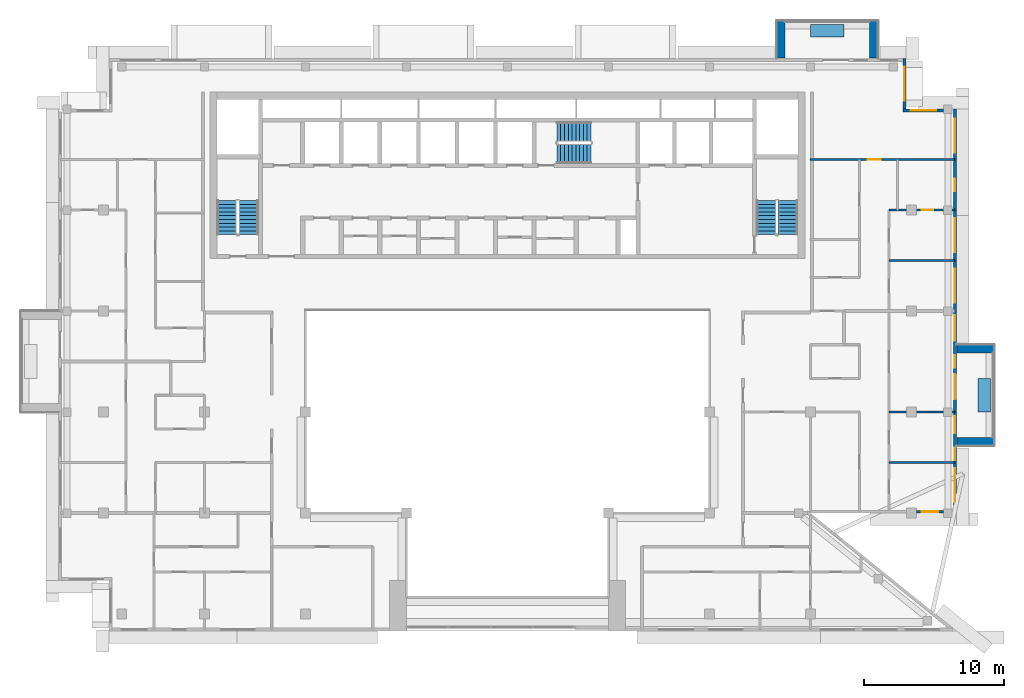
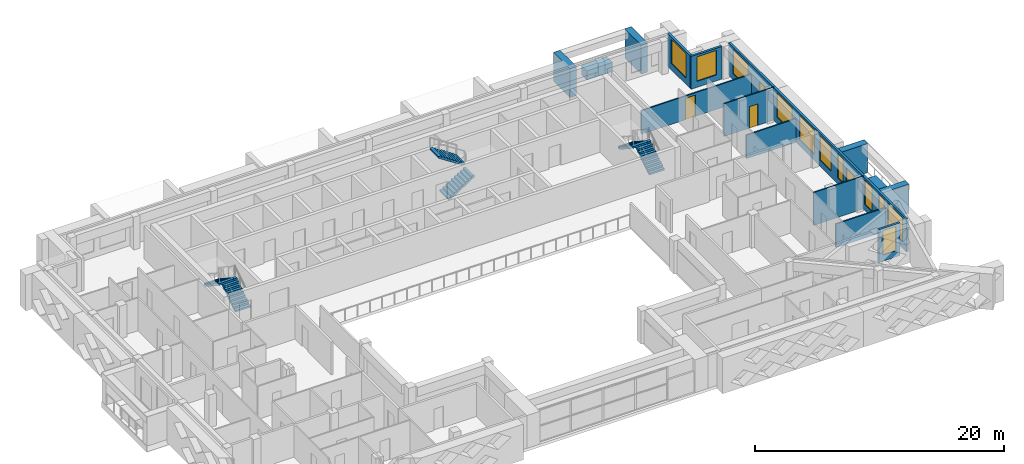
# One storey, part 11 of 18: 15 walls, 12 windows, 6 stair flights, 3 doors, 15 openings, 3 elements without a shape of their own.
"""IFC4 building model written with IfcOpenShell, lengths in metres."""

from ifc_helpers import new_model, si_unit, direction, frame, frame_2d, origin, place, context, subcontext, project, spatial, polyline, rectangle, outline, extrude, material, layer, layer_set, type_object, element, fill, aggregate, save


model = new_model("IFC4")

# Units and contexts
model_context = context("Model", 3, precision=1e-05, world=origin(), true_north=direction((0.0, 1.0)))
body_context = subcontext(model_context, "Body", "Model", "MODEL_VIEW")
ifc_project = project(units=[si_unit("LENGTHUNIT", "METRE"), si_unit("AREAUNIT", "SQUARE_METRE"), si_unit("VOLUMEUNIT", "CUBIC_METRE"), si_unit("PLANEANGLEUNIT", "RADIAN"), si_unit("MASSUNIT", "GRAM", prefix="KILO")], contexts=[model_context])

# Site, building, storey
site_placement = place(None, origin())
site = spatial("IfcSite", under=ifc_project, at=site_placement, CompositionType="ELEMENT")
building_placement = place(site_placement, origin())
building = spatial("IfcBuilding", under=site, at=building_placement, Name="Saffron Iwan Residences", CompositionType="ELEMENT")
storey_placement = place(building_placement, frame((0.0, 0.0, 257.0)))
storey = spatial("IfcBuildingStorey", under=building, at=storey_placement, Name="L69", CompositionType="ELEMENT", Elevation=257.0)

# Walls
ifc_material_1 = material(Name="Concrete C50/60 white painted", Category="concrete")
ifc_layer_1 = layer(ifc_material_1, 0.60009765625)
ifc_layer_set_1 = layer_set([ifc_layer_1], Name="Concrete C50/60 white painted")
wall_type_1 = type_object("IfcWallType", Name="BALCONY FIN 600", PredefinedType="SOLIDWALL", material=ifc_layer_set_1)
for number, where, z_axis, x_axis, name in (
    (1, (82.449951171875, 53.10009765625, 0.0), (0.0, 0.0, 1.0), (1.0, 0.0, 0.0), "Balcony fin L69 F2-0a"),
    (2, (82.449951171875, 59.699951171875, 0.0), (0.0, 0.0, 1.0), (1.0, 0.0, 0.0), "Balcony fin L69 F2-0b"),
    (3, (76.5, 80.449951171875, 0.0), (0.0, 0.0, 1.0), (0.0, 1.0, 0.0), "Balcony fin L69 F5-0a"),
    (4, (69.89990234375, 80.449951171875, 0.0), (0.0, 0.0, 1.0), (0.0, 1.0, 0.0), "Balcony fin L69 F5-0b"),
):
    element("IfcWall", number, at=place(storey_placement, frame(where, z_axis=z_axis, x_axis=x_axis)), inside=storey, type_object=wall_type_1, Name=name, PredefinedType="SOLIDWALL", context=body_context, shape_type="SweptSolid", body=[
        extrude(rectangle(XDim=2.650146484375, YDim=0.60009765625, at=frame_2d((1.3251953125, 0.0))), origin(), (0.0, 0.0, 1.0), 2.85009765625),
    ])
ifc_material_2 = material(Name="Concrete C35/45 white painted", Category="concrete")
ifc_layer_2 = layer(ifc_material_2, 0.14990234375)
ifc_layer_set_2 = layer_set([ifc_layer_2], Name="Concrete C35/45 white painted")
wall_type_2 = type_object("IfcWallType", Name="BALCONY PLANTER", PredefinedType="SOLIDWALL", material=ifc_layer_set_2)
wall_1_placement = place(storey_placement, frame((84.375, 55.199951171875, 0.0), z_axis=(0.0, 0.0, 1.0), x_axis=(0.0, 1.0, 0.0)))
element("IfcWall", 5, at=wall_1_placement, inside=storey, type_object=wall_type_2, Name="PLANTER L69 F2-0", PredefinedType="SOLIDWALL", context=body_context, shape_type="SweptSolid", body=[
    extrude(rectangle(XDim=2.400146484375, YDim=0.89990234375, at=frame_2d((1.2001953125, 0.0))), origin(), (0.0, 0.0, 1.0), 0.89990234375),
])
wall_2_placement = place(storey_placement, frame((74.39990234375, 82.375, 0.0), z_axis=(0.0, 0.0, 1.0), x_axis=(-1.0, 0.0, 0.0)))
element("IfcWall", 6, at=wall_2_placement, inside=storey, type_object=wall_type_2, Name="PLANTER L69 F5-0", PredefinedType="SOLIDWALL", context=body_context, shape_type="SweptSolid", body=[
    extrude(rectangle(XDim=2.39990234375, YDim=0.89990234375, at=frame_2d((1.199951171875, 0.0))), origin(), (0.0, 0.0, 1.0), 0.89990234375),
])

# Wall, opening, window
ifc_material_3 = material(Name="Concrete C40/50", Category="concrete")
ifc_layer_3 = layer(ifc_material_3, 0.199951171875)
ifc_layer_set_3 = layer_set([ifc_layer_3], Name="Concrete C40/50")
wall_type_3 = type_object("IfcWallType", Name="EXTERNAL WALL 200", PredefinedType="SOLIDWALL", material=ifc_layer_set_3)
wall_3_placement = place(storey_placement, frame((79.550048828125, 48.10009765625, 0.0), z_axis=(0.0, 0.0, 1.0), x_axis=(1.0, 0.0, 0.0)))
wall_3 = element("IfcWall", 7, at=wall_3_placement, inside=storey, type_object=wall_type_3, Name="External wall L69 F1.1", PredefinedType="SOLIDWALL", context=body_context, shape_type="SweptSolid", body=[
    extrude(rectangle(XDim=1.949951171875, YDim=0.199951171875, at=frame_2d((0.97509765625, 0.0))), origin(), (0.0, 0.0, 1.0), 3.219970703125),
])
opening_1_placement = place(wall_3_placement, frame((0.375, 0.0, 0.60009765625)))
opening_1 = element("IfcOpeningElement", 8, at=opening_1_placement, cuts=wall_3, Name="Opening W3", PredefinedType="OPENING", context=body_context, shape_type="SweptSolid", body=[
    extrude(rectangle(XDim=1.199951171875, YDim=2.39990234375, at=frame_2d((0.60009765625, 1.199951171875))), frame((0.0, 0.10986328125, 0.0), z_axis=(0.0, -1.0, 0.0), x_axis=(1.0, 0.0, 0.0)), (0.0, 0.0, 1.0), 0.219970703125),
])
ifc_material_4 = material(Name="Clear glass, laminated double glazed", Category="glass")
window_type_1 = type_object("IfcWindowType", Name="WINDOW 1200 x 2400", PartitioningType="SINGLE_PANEL", PredefinedType="WINDOW", material=ifc_material_4)
window_1_placement = place(opening_1_placement, origin())
window_1 = element("IfcWindow", 9, at=window_1_placement, inside=storey, type_object=window_type_1, Name="Window L69 F1.0", OverallHeight=2.39990234375, OverallWidth=1.199951171875, PartitioningType="SINGLE_PANEL", PredefinedType="WINDOW", context=body_context, shape_type="SweptSolid", body=[
    extrude(rectangle(XDim=1.199951171875, YDim=2.39990234375, at=frame_2d((0.60009765625, 1.199951171875))), frame((0.0, 0.030029296875, 0.0), z_axis=(0.0, -1.0, 0.0), x_axis=(1.0, 0.0, 0.0)), (0.0, 0.0, 1.0), 0.06005859375),
])
fill(opening_1, window_1)

# Wall, openings, door, windows
wall_4_placement = place(storey_placement, frame((82.300048828125, 48.199951171875, 0.0), z_axis=(0.0, 0.0, 1.0), x_axis=(0.0, 1.0, 0.0)))
wall_4 = element("IfcWall", 10, at=wall_4_placement, inside=storey, type_object=wall_type_3, Name="External wall L69 F2.0", PredefinedType="SOLIDWALL", context=body_context, shape_type="SweptSolid", body=[
    extrude(rectangle(XDim=28.60009765625, YDim=0.199951171875, at=frame_2d((14.300048828125, 0.0))), origin(), (0.0, 0.0, 1.0), 3.219970703125),
])
opening_2_placement = place(wall_4_placement, frame((7.89990234375, 0.0, 0.0)))
opening_2 = element("IfcOpeningElement", 11, at=opening_2_placement, cuts=wall_4, Name="Opening BD1", PredefinedType="OPENING", context=body_context, shape_type="SweptSolid", body=[
    extrude(rectangle(XDim=1.800048828125, YDim=2.39990234375, at=frame_2d((0.89990234375, 1.199951171875))), frame((0.0, 0.10986328125, 0.0), z_axis=(0.0, -1.0, 0.0), x_axis=(1.0, 0.0, 0.0)), (0.0, 0.0, 1.0), 0.219970703125),
])
opening_3_placement = place(wall_4_placement, frame((0.60009765625, 0.0, 0.60009765625)))
opening_3 = element("IfcOpeningElement", 12, at=opening_3_placement, cuts=wall_4, Name="Opening W1", PredefinedType="OPENING", context=body_context, shape_type="SweptSolid", body=[
    extrude(rectangle(XDim=2.39990234375, YDim=2.39990234375, at=frame_2d((1.199951171875, 1.199951171875))), frame((0.0, 0.10986328125, 0.0), z_axis=(0.0, -1.0, 0.0), x_axis=(1.0, 0.0, 0.0)), (0.0, 0.0, 1.0), 0.219970703125),
])
opening_4_placement = place(wall_4_placement, frame((3.550048828125, 0.0, 0.60009765625)))
opening_4 = element("IfcOpeningElement", 13, at=opening_4_placement, cuts=wall_4, Name="Opening W10", PredefinedType="OPENING", context=body_context, shape_type="SweptSolid", body=[
    extrude(rectangle(XDim=0.89990234375, YDim=2.39990234375, at=frame_2d((0.449951171875, 1.199951171875))), frame((0.0, 0.10986328125, 0.0), z_axis=(0.0, -1.0, 0.0), x_axis=(1.0, 0.0, 0.0)), (0.0, 0.0, 1.0), 0.219970703125),
])
opening_5_placement = place(wall_4_placement, frame((5.5, 0.0, 0.60009765625)))
opening_5 = element("IfcOpeningElement", 14, at=opening_5_placement, cuts=wall_4, Name="Opening W3", PredefinedType="OPENING", context=body_context, shape_type="SweptSolid", body=[
    extrude(rectangle(XDim=1.199951171875, YDim=2.39990234375, at=frame_2d((0.60009765625, 1.199951171875))), frame((0.0, 0.10986328125, 0.0), z_axis=(0.0, -1.0, 0.0), x_axis=(1.0, 0.0, 0.0)), (0.0, 0.0, 1.0), 0.219970703125),
])
opening_6_placement = place(wall_4_placement, frame((10.14990234375, 0.0, 0.60009765625)))
opening_6 = element("IfcOpeningElement", 15, at=opening_6_placement, cuts=wall_4, Name="Opening W10", PredefinedType="OPENING", context=body_context, shape_type="SweptSolid", body=[
    extrude(rectangle(XDim=0.89990234375, YDim=2.39990234375, at=frame_2d((0.449951171875, 1.199951171875))), frame((0.0, 0.10986328125, 0.0), z_axis=(0.0, -1.0, 0.0), x_axis=(1.0, 0.0, 0.0)), (0.0, 0.0, 1.0), 0.219970703125),
])
opening_7_placement = place(wall_4_placement, frame((12.10009765625, 0.0, 0.60009765625)))
opening_7 = element("IfcOpeningElement", 16, at=opening_7_placement, cuts=wall_4, Name="Opening W8", PredefinedType="OPENING", context=body_context, shape_type="SweptSolid", body=[
    extrude(rectangle(XDim=1.800048828125, YDim=2.39990234375, at=frame_2d((0.89990234375, 1.199951171875))), frame((0.0, 0.10986328125, 0.0), z_axis=(0.0, -1.0, 0.0), x_axis=(1.0, 0.0, 0.0)), (0.0, 0.0, 1.0), 0.219970703125),
])
opening_8_placement = place(wall_4_placement, frame((14.800048828125, 0.0, 0.60009765625)))
opening_8 = element("IfcOpeningElement", 17, at=opening_8_placement, cuts=wall_4, Name="Opening W1", PredefinedType="OPENING", context=body_context, shape_type="SweptSolid", body=[
    extrude(rectangle(XDim=2.39990234375, YDim=2.39990234375, at=frame_2d((1.199951171875, 1.199951171875))), frame((0.0, 0.10986328125, 0.0), z_axis=(0.0, -1.0, 0.0), x_axis=(1.0, 0.0, 0.0)), (0.0, 0.0, 1.0), 0.219970703125),
])
opening_9_placement = place(wall_4_placement, frame((18.39990234375, 0.0, 0.60009765625)))
opening_9 = element("IfcOpeningElement", 18, at=opening_9_placement, cuts=wall_4, Name="Opening W1", PredefinedType="OPENING", context=body_context, shape_type="SweptSolid", body=[
    extrude(rectangle(XDim=2.39990234375, YDim=2.39990234375, at=frame_2d((1.199951171875, 1.199951171875))), frame((0.0, 0.10986328125, 0.0), z_axis=(0.0, -1.0, 0.0), x_axis=(1.0, 0.0, 0.0)), (0.0, 0.0, 1.0), 0.219970703125),
])
opening_10_placement = place(wall_4_placement, frame((22.75, 0.0, 1.5)))
opening_10 = element("IfcOpeningElement", 19, at=opening_10_placement, cuts=wall_4, Name="Opening W6", PredefinedType="OPENING", context=body_context, shape_type="SweptSolid", body=[
    extrude(rectangle(XDim=0.89990234375, YDim=0.89990234375, at=frame_2d((0.449951171875, 0.449951171875))), frame((0.0, 0.10986328125, 0.0), z_axis=(0.0, -1.0, 0.0), x_axis=(1.0, 0.0, 0.0)), (0.0, 0.0, 1.0), 0.219970703125),
])
opening_11_placement = place(wall_4_placement, frame((25.5, 0.0, 0.60009765625)))
opening_11 = element("IfcOpeningElement", 20, at=opening_11_placement, cuts=wall_4, Name="Opening W1", PredefinedType="OPENING", context=body_context, shape_type="SweptSolid", body=[
    extrude(rectangle(XDim=2.39990234375, YDim=2.39990234375, at=frame_2d((1.199951171875, 1.199951171875))), frame((0.0, 0.10986328125, 0.0), z_axis=(0.0, -1.0, 0.0), x_axis=(1.0, 0.0, 0.0)), (0.0, 0.0, 1.0), 0.219970703125),
])
door_type_1 = type_object("IfcDoorType", Name="BALCONY DOOR 1800 x 2400", OperationType="DOUBLE_DOOR_SLIDING", PredefinedType="DOOR", material=ifc_material_4)
door_1_placement = place(opening_2_placement, origin())
door_1 = element("IfcDoor", 21, at=door_1_placement, inside=storey, type_object=door_type_1, Name="Balcony door L69 F2.0", OperationType="DOUBLE_DOOR_SLIDING", OverallHeight=2.39990234375, OverallWidth=1.800048828125, PredefinedType="DOOR", context=body_context, shape_type="SweptSolid", body=[
    extrude(rectangle(XDim=1.800048828125, YDim=2.39990234375, at=frame_2d((0.89990234375, 1.199951171875))), frame((0.0, 0.02490234375, 0.0), z_axis=(0.0, -1.0, 0.0), x_axis=(1.0, 0.0, 0.0)), (0.0, 0.0, 1.0), 0.050048828125),
])
fill(opening_2, door_1)
window_2_placement = place(opening_5_placement, origin())
window_2 = element("IfcWindow", 22, at=window_2_placement, inside=storey, type_object=window_type_1, Name="Window L69 F2.3", OverallHeight=2.39990234375, OverallWidth=1.199951171875, PartitioningType="SINGLE_PANEL", PredefinedType="WINDOW", context=body_context, shape_type="SweptSolid", body=[
    extrude(rectangle(XDim=1.199951171875, YDim=2.39990234375, at=frame_2d((0.60009765625, 1.199951171875))), frame((0.0, 0.030029296875, 0.0), z_axis=(0.0, -1.0, 0.0), x_axis=(1.0, 0.0, 0.0)), (0.0, 0.0, 1.0), 0.06005859375),
])
fill(opening_5, window_2)
window_type_2 = type_object("IfcWindowType", Name="WINDOW 1800 x 2400", PartitioningType="DOUBLE_PANEL_VERTICAL", PredefinedType="WINDOW", material=ifc_material_4)
window_3_placement = place(opening_7_placement, origin())
window_3 = element("IfcWindow", 23, at=window_3_placement, inside=storey, type_object=window_type_2, Name="Window L69 F2.5", OverallHeight=2.39990234375, OverallWidth=1.800048828125, PartitioningType="DOUBLE_PANEL_VERTICAL", PredefinedType="WINDOW", context=body_context, shape_type="SweptSolid", body=[
    extrude(rectangle(XDim=1.800048828125, YDim=2.39990234375, at=frame_2d((0.89990234375, 1.199951171875))), frame((0.0, 0.030029296875, 0.0), z_axis=(0.0, -1.0, 0.0), x_axis=(1.0, 0.0, 0.0)), (0.0, 0.0, 1.0), 0.06005859375),
])
fill(opening_7, window_3)
window_type_3 = type_object("IfcWindowType", Name="WINDOW 2400 x 2400", PartitioningType="DOUBLE_PANEL_VERTICAL", PredefinedType="WINDOW", material=ifc_material_4)
window_4_placement = place(opening_3_placement, origin())
window_4 = element("IfcWindow", 24, at=window_4_placement, inside=storey, type_object=window_type_3, Name="Window L69 F2.1", OverallHeight=2.39990234375, OverallWidth=2.39990234375, PartitioningType="DOUBLE_PANEL_VERTICAL", PredefinedType="WINDOW", context=body_context, shape_type="SweptSolid", body=[
    extrude(rectangle(XDim=2.39990234375, YDim=2.39990234375, at=frame_2d((1.199951171875, 1.199951171875))), frame((0.0, 0.030029296875, 0.0), z_axis=(0.0, -1.0, 0.0), x_axis=(1.0, 0.0, 0.0)), (0.0, 0.0, 1.0), 0.06005859375),
])
fill(opening_3, window_4)
window_5_placement = place(opening_8_placement, origin())
window_5 = element("IfcWindow", 25, at=window_5_placement, inside=storey, type_object=window_type_3, Name="Window L69 F2.6", OverallHeight=2.39990234375, OverallWidth=2.39990234375, PartitioningType="DOUBLE_PANEL_VERTICAL", PredefinedType="WINDOW", context=body_context, shape_type="SweptSolid", body=[
    extrude(rectangle(XDim=2.39990234375, YDim=2.39990234375, at=frame_2d((1.199951171875, 1.199951171875))), frame((0.0, 0.030029296875, 0.0), z_axis=(0.0, -1.0, 0.0), x_axis=(1.0, 0.0, 0.0)), (0.0, 0.0, 1.0), 0.06005859375),
])
fill(opening_8, window_5)
window_6_placement = place(opening_9_placement, origin())
window_6 = element("IfcWindow", 26, at=window_6_placement, inside=storey, type_object=window_type_3, Name="Window L69 F2.7", OverallHeight=2.39990234375, OverallWidth=2.39990234375, PartitioningType="DOUBLE_PANEL_VERTICAL", PredefinedType="WINDOW", context=body_context, shape_type="SweptSolid", body=[
    extrude(rectangle(XDim=2.39990234375, YDim=2.39990234375, at=frame_2d((1.199951171875, 1.199951171875))), frame((0.0, 0.030029296875, 0.0), z_axis=(0.0, -1.0, 0.0), x_axis=(1.0, 0.0, 0.0)), (0.0, 0.0, 1.0), 0.06005859375),
])
fill(opening_9, window_6)
window_7_placement = place(opening_11_placement, origin())
window_7 = element("IfcWindow", 27, at=window_7_placement, inside=storey, type_object=window_type_3, Name="Window L69 F2.9", OverallHeight=2.39990234375, OverallWidth=2.39990234375, PartitioningType="DOUBLE_PANEL_VERTICAL", PredefinedType="WINDOW", context=body_context, shape_type="SweptSolid", body=[
    extrude(rectangle(XDim=2.39990234375, YDim=2.39990234375, at=frame_2d((1.199951171875, 1.199951171875))), frame((0.0, 0.030029296875, 0.0), z_axis=(0.0, -1.0, 0.0), x_axis=(1.0, 0.0, 0.0)), (0.0, 0.0, 1.0), 0.06005859375),
])
fill(opening_11, window_7)
window_type_4 = type_object("IfcWindowType", Name="WINDOW 900 x 2400", PartitioningType="SINGLE_PANEL", PredefinedType="WINDOW", material=ifc_material_4)
window_8_placement = place(opening_4_placement, origin())
window_8 = element("IfcWindow", 28, at=window_8_placement, inside=storey, type_object=window_type_4, Name="Window L69 F2.2", OverallHeight=2.39990234375, OverallWidth=0.89990234375, PartitioningType="SINGLE_PANEL", PredefinedType="WINDOW", context=body_context, shape_type="SweptSolid", body=[
    extrude(rectangle(XDim=0.89990234375, YDim=2.39990234375, at=frame_2d((0.449951171875, 1.199951171875))), frame((0.0, 0.030029296875, 0.0), z_axis=(0.0, -1.0, 0.0), x_axis=(1.0, 0.0, 0.0)), (0.0, 0.0, 1.0), 0.06005859375),
])
fill(opening_4, window_8)
window_9_placement = place(opening_6_placement, origin())
window_9 = element("IfcWindow", 29, at=window_9_placement, inside=storey, type_object=window_type_4, Name="Window L69 F2.4", OverallHeight=2.39990234375, OverallWidth=0.89990234375, PartitioningType="SINGLE_PANEL", PredefinedType="WINDOW", context=body_context, shape_type="SweptSolid", body=[
    extrude(rectangle(XDim=0.89990234375, YDim=2.39990234375, at=frame_2d((0.449951171875, 1.199951171875))), frame((0.0, 0.030029296875, 0.0), z_axis=(0.0, -1.0, 0.0), x_axis=(1.0, 0.0, 0.0)), (0.0, 0.0, 1.0), 0.06005859375),
])
fill(opening_6, window_9)
window_type_5 = type_object("IfcWindowType", Name="WINDOW 900 x 900 BATH", PartitioningType="SINGLE_PANEL", PredefinedType="WINDOW", material=ifc_material_4)
window_10_placement = place(opening_10_placement, origin())
window_10 = element("IfcWindow", 30, at=window_10_placement, inside=storey, type_object=window_type_5, Name="Window L69 F2.8", OverallHeight=0.89990234375, OverallWidth=0.89990234375, PartitioningType="SINGLE_PANEL", PredefinedType="WINDOW", context=body_context, shape_type="SweptSolid", body=[
    extrude(rectangle(XDim=0.89990234375, YDim=0.89990234375, at=frame_2d((0.449951171875, 0.449951171875))), frame((0.0, 0.030029296875, 0.0), z_axis=(0.0, -1.0, 0.0), x_axis=(1.0, 0.0, 0.0)), (0.0, 0.0, 1.0), 0.06005859375),
])
fill(opening_10, window_10)

# Wall, opening, window
wall_5_placement = place(storey_placement, frame((81.5, 76.699951171875, 0.0), z_axis=(0.0, 0.0, 1.0), x_axis=(-1.0, 0.0, 0.0)))
wall_5 = element("IfcWall", 31, at=wall_5_placement, inside=storey, type_object=wall_type_3, Name="External wall L69 F3.0", PredefinedType="SOLIDWALL", context=body_context, shape_type="SweptSolid", body=[
    extrude(rectangle(XDim=2.89990234375, YDim=0.199951171875, at=frame_2d((1.449951171875, 0.0))), origin(), (0.0, 0.0, 1.0), 3.219970703125),
])
opening_12_placement = place(wall_5_placement, frame((0.550048828125, 0.0, 0.60009765625)))
opening_12 = element("IfcOpeningElement", 32, at=opening_12_placement, cuts=wall_5, Name="Opening W8", PredefinedType="OPENING", context=body_context, shape_type="SweptSolid", body=[
    extrude(rectangle(XDim=1.800048828125, YDim=2.39990234375, at=frame_2d((0.89990234375, 1.199951171875))), frame((0.0, 0.10986328125, 0.0), z_axis=(0.0, -1.0, 0.0), x_axis=(1.0, 0.0, 0.0)), (0.0, 0.0, 1.0), 0.219970703125),
])
window_11_placement = place(opening_12_placement, origin())
window_11 = element("IfcWindow", 33, at=window_11_placement, inside=storey, type_object=window_type_2, Name="Window L69 F3.0", OverallHeight=2.39990234375, OverallWidth=1.800048828125, PartitioningType="DOUBLE_PANEL_VERTICAL", PredefinedType="WINDOW", context=body_context, shape_type="SweptSolid", body=[
    extrude(rectangle(XDim=1.800048828125, YDim=2.39990234375, at=frame_2d((0.89990234375, 1.199951171875))), frame((0.0, 0.030029296875, 0.0), z_axis=(0.0, -1.0, 0.0), x_axis=(1.0, 0.0, 0.0)), (0.0, 0.0, 1.0), 0.06005859375),
])
fill(opening_12, window_11)

wall_6_placement = place(storey_placement, frame((78.699951171875, 76.800048828125, 0.0), z_axis=(0.0, 0.0, 1.0), x_axis=(0.0, 1.0, 0.0)))
wall_6 = element("IfcWall", 34, at=wall_6_placement, inside=storey, type_object=wall_type_3, Name="External wall L69 F4.0", PredefinedType="SOLIDWALL", context=body_context, shape_type="SweptSolid", body=[
    extrude(rectangle(XDim=3.599853515625, YDim=0.199951171875, at=frame_2d((1.7998046875, 0.0))), origin(), (0.0, 0.0, 1.0), 3.219970703125),
])
opening_13_placement = place(wall_6_placement, frame((0.60009765625, 0.0, 0.60009765625)))
opening_13 = element("IfcOpeningElement", 35, at=opening_13_placement, cuts=wall_6, Name="Opening W1", PredefinedType="OPENING", context=body_context, shape_type="SweptSolid", body=[
    extrude(rectangle(XDim=2.39990234375, YDim=2.39990234375, at=frame_2d((1.199951171875, 1.199951171875))), frame((0.0, 0.10986328125, 0.0), z_axis=(0.0, -1.0, 0.0), x_axis=(1.0, 0.0, 0.0)), (0.0, 0.0, 1.0), 0.219970703125),
])
window_12_placement = place(opening_13_placement, origin())
window_12 = element("IfcWindow", 36, at=window_12_placement, inside=storey, type_object=window_type_3, Name="Window L69 F4.0", OverallHeight=2.39990234375, OverallWidth=2.39990234375, PartitioningType="DOUBLE_PANEL_VERTICAL", PredefinedType="WINDOW", context=body_context, shape_type="SweptSolid", body=[
    extrude(rectangle(XDim=2.39990234375, YDim=2.39990234375, at=frame_2d((1.199951171875, 1.199951171875))), frame((0.0, 0.030029296875, 0.0), z_axis=(0.0, -1.0, 0.0), x_axis=(1.0, 0.0, 0.0)), (0.0, 0.0, 1.0), 0.06005859375),
])
fill(opening_13, window_12)

# Walls
ifc_material_5 = material(Name="Gypsum board partition")
ifc_layer_4 = layer(ifc_material_5, 0.1201171875)
ifc_layer_set_4 = layer_set([ifc_layer_4], Name="Gypsum board partition")
wall_type_4 = type_object("IfcWallType", Name="Flat partition 120", PredefinedType="PARTITIONING", material=ifc_layer_set_4)
wall_7_placement = place(storey_placement, frame((77.60009765625, 51.60009765625, 0.0), z_axis=(0.0, 0.0, 1.0), x_axis=(1.0, 0.0, 0.0)))
element("IfcWall", 37, at=wall_7_placement, inside=storey, type_object=wall_type_4, Name="W-L69-PART-h51.6-77.6", PredefinedType="PARTITIONING", context=body_context, shape_type="SweptSolid", body=[
    extrude(rectangle(XDim=4.6748046875, YDim=0.1201171875, at=frame_2d((2.33740234375, 0.0))), origin(), (0.0, 0.0, 1.0), 2.320068359375),
])
wall_8_placement = place(storey_placement, frame((77.60009765625, 55.199951171875, 0.0), z_axis=(0.0, 0.0, 1.0), x_axis=(1.0, 0.0, 0.0)))
element("IfcWall", 38, at=wall_8_placement, inside=storey, type_object=wall_type_4, Name="W-L69-PART-h55.2-77.6", PredefinedType="PARTITIONING", context=body_context, shape_type="SweptSolid", body=[
    extrude(rectangle(XDim=4.6748046875, YDim=0.1201171875, at=frame_2d((2.33740234375, 0.0))), origin(), (0.0, 0.0, 1.0), 3.219970703125),
])
wall_9_placement = place(storey_placement, frame((77.60009765625, 66.0, 0.0), z_axis=(0.0, 0.0, 1.0), x_axis=(1.0, 0.0, 0.0)))
element("IfcWall", 39, at=wall_9_placement, inside=storey, type_object=wall_type_4, Name="W-L69-PART-h66-77.6", PredefinedType="PARTITIONING", context=body_context, shape_type="SweptSolid", body=[
    extrude(rectangle(XDim=4.6748046875, YDim=0.1201171875, at=frame_2d((2.33740234375, 0.0))), origin(), (0.0, 0.0, 1.0), 2.320068359375),
])

# Wall, opening, door
wall_10_placement = place(storey_placement, frame((77.60009765625, 69.60009765625, 0.0), z_axis=(0.0, 0.0, 1.0), x_axis=(1.0, 0.0, 0.0)))
wall_10 = element("IfcWall", 40, at=wall_10_placement, inside=storey, type_object=wall_type_4, Name="W-L69-PART-h69.6-77.6", PredefinedType="PARTITIONING", context=body_context, shape_type="SweptSolid", body=[
    extrude(rectangle(XDim=4.6748046875, YDim=0.1201171875, at=frame_2d((2.33740234375, 0.0))), origin(), (0.0, 0.0, 1.0), 3.219970703125),
])
opening_14_placement = place(wall_10_placement, frame((2.33740234375, 0.0, 0.0)))
opening_14 = element("IfcOpeningElement", 41, at=opening_14_placement, cuts=wall_10, Name="Opening FD3", PredefinedType="OPENING", context=body_context, shape_type="SweptSolid", body=[
    extrude(rectangle(XDim=0.800048828125, YDim=2.10009765625, at=frame_2d((0.39990234375, 1.050048828125))), frame((0.0, 0.070068359375, 0.0), z_axis=(0.0, -1.0, 0.0), x_axis=(1.0, 0.0, 0.0)), (0.0, 0.0, 1.0), 0.14013671875),
])
ifc_material_6 = material(Name="Timber door", Category="wood")
door_type_2 = type_object("IfcDoorType", Name="Bathroom door 800", OperationType="NOTDEFINED", PredefinedType="DOOR", material=ifc_material_6)
door_2_placement = place(opening_14_placement, origin())
door_2 = element("IfcDoor", 42, at=door_2_placement, inside=storey, type_object=door_type_2, Name="Door L69-033", OperationType="SINGLE_SWING_RIGHT", OverallHeight=2.10009765625, OverallWidth=0.800048828125, PredefinedType="DOOR", context=body_context, shape_type="SweptSolid", body=[
    extrude(rectangle(XDim=0.800048828125, YDim=2.10009765625, at=frame_2d((0.39990234375, 1.050048828125))), frame((0.0, 0.02490234375, 0.0), z_axis=(0.0, -1.0, 0.0), x_axis=(1.0, 0.0, 0.0)), (0.0, 0.0, 1.0), 0.050048828125),
])
fill(opening_14, door_2)

wall_11_placement = place(storey_placement, frame((72.0, 73.199951171875, 0.0), z_axis=(0.0, 0.0, 1.0), x_axis=(1.0, 0.0, 0.0)))
wall_11 = element("IfcWall", 43, at=wall_11_placement, inside=storey, type_object=wall_type_4, Name="W-L69-PART-h73.2-72", PredefinedType="PARTITIONING", context=body_context, shape_type="SweptSolid", body=[
    extrude(rectangle(XDim=10.27490234375, YDim=0.1201171875, at=frame_2d((5.137451171875, 0.0))), origin(), (0.0, 0.0, 1.0), 2.320068359375),
])
opening_15_placement = place(wall_11_placement, frame((4.10009765625, 0.0, 0.0)))
opening_15 = element("IfcOpeningElement", 44, at=opening_15_placement, cuts=wall_11, Name="Opening FD2", PredefinedType="OPENING", context=body_context, shape_type="SweptSolid", body=[
    extrude(rectangle(XDim=0.89990234375, YDim=2.10009765625, at=frame_2d((0.449951171875, 1.050048828125))), frame((0.0, 0.070068359375, 0.0), z_axis=(0.0, -1.0, 0.0), x_axis=(1.0, 0.0, 0.0)), (0.0, 0.0, 1.0), 0.14013671875),
])
door_type_3 = type_object("IfcDoorType", Name="Flat door 900", OperationType="NOTDEFINED", PredefinedType="DOOR", material=ifc_material_6)
door_3_placement = place(opening_15_placement, origin())
door_3 = element("IfcDoor", 45, at=door_3_placement, inside=storey, type_object=door_type_3, Name="Door L69-034", OperationType="SINGLE_SWING_RIGHT", OverallHeight=2.10009765625, OverallWidth=0.89990234375, PredefinedType="DOOR", context=body_context, shape_type="SweptSolid", body=[
    extrude(rectangle(XDim=0.89990234375, YDim=2.10009765625, at=frame_2d((0.449951171875, 1.050048828125))), frame((0.0, 0.02490234375, 0.0), z_axis=(0.0, -1.0, 0.0), x_axis=(1.0, 0.0, 0.0)), (0.0, 0.0, 1.0), 0.050048828125),
])
fill(opening_15, door_3)

# Stair, stair flights
ifc_material_7 = material(Name="Concrete C50/60", Category="concrete")
stair_type = type_object("IfcStairType", Name="Stair ST-CORE", PredefinedType="HALF_TURN_STAIR", material=ifc_material_7)
stair_1_placement = place(storey_placement, origin())
stair_1 = element("IfcStair", 46, at=stair_1_placement, inside=storey, type_object=stair_type, Name="L69 Exit Stair ST-W", PredefinedType="HALF_TURN_STAIR")
ifc_layer_5 = layer(ifc_material_7, 0.14990234375)
ifc_layer_set_5 = layer_set([ifc_layer_5], Name="Concrete C50/60")
stair_flight_type = type_object("IfcStairFlightType", Name="Stair flight SFL-RC", PredefinedType="STRAIGHT", material=ifc_layer_set_5)
stair_flight_1_placement = place(storey_placement, frame((31.949951171875, 67.85009765625, 0.0), z_axis=(0.0, 0.0, 1.0), x_axis=(0.0, 1.0, 0.0)))
stair_flight_1 = element("IfcStairFlight", 47, at=stair_flight_1_placement, type_object=stair_flight_type, Name="ST-W flight 1", NumberOfRisers=10, NumberOfTreads=9, PredefinedType="STRAIGHT", RiserHeight=0.175, TreadLength=0.27, context=body_context, shape_type="SweptSolid", body=[
    extrude(outline(polyline([(0.0, 0.0), (0.0, 0.175048828125), (0.27001953125, 0.175048828125), (0.27001953125, 0.35009765625), (0.5400390625, 0.35009765625), (0.5400390625, 0.52490234375), (0.81005859375, 0.52490234375), (0.81005859375, 0.699951171875), (1.080078125, 0.699951171875), (1.080078125, 0.875), (1.35009765625, 0.875), (1.35009765625, 1.050048828125), (1.6201171875, 1.050048828125), (1.6201171875, 1.22509765625), (1.889892578125, 1.22509765625), (1.889892578125, 1.39990234375), (2.159912109375, 1.39990234375), (2.159912109375, 1.574951171875), (2.429931640625, 1.574951171875), (2.429931640625, 1.75), (2.429931640625, 1.396484375), (0.275634765625, 0.0), (0.0, 0.0)])), frame((0.0, 0.699951171875, 0.0), z_axis=(0.0, -1.0, 0.0), x_axis=(1.0, 0.0, 0.0)), (0.0, 0.0, 1.0), 1.39990234375),
])
stair_flight_2_placement = place(storey_placement, frame((30.39990234375, 70.280029296875, 1.75), z_axis=(0.0, 0.0, 1.0), x_axis=(0.0, -1.0, 0.0)))
stair_flight_2 = element("IfcStairFlight", 48, at=stair_flight_2_placement, type_object=stair_flight_type, Name="ST-W flight 2", NumberOfRisers=10, NumberOfTreads=9, PredefinedType="STRAIGHT", RiserHeight=0.175, TreadLength=0.27, context=body_context, shape_type="SweptSolid", body=[
    extrude(outline(polyline([(0.0, 0.0), (0.0, 0.175048828125), (0.27001953125, 0.175048828125), (0.27001953125, 0.35009765625), (0.5400390625, 0.35009765625), (0.5400390625, 0.52490234375), (0.81005859375, 0.52490234375), (0.81005859375, 0.699951171875), (1.080078125, 0.699951171875), (1.080078125, 0.875), (1.35009765625, 0.875), (1.35009765625, 1.050048828125), (1.6201171875, 1.050048828125), (1.6201171875, 1.22509765625), (1.889892578125, 1.22509765625), (1.889892578125, 1.39990234375), (2.159912109375, 1.39990234375), (2.159912109375, 1.574951171875), (2.429931640625, 1.574951171875), (2.429931640625, 1.75), (2.429931640625, 1.396484375), (0.275634765625, 0.0), (0.0, 0.0)])), frame((0.0, 0.699951171875, 0.0), z_axis=(0.0, -1.0, 0.0), x_axis=(1.0, 0.0, 0.0)), (0.0, 0.0, 1.0), 1.39990234375),
])
aggregate(stair_1, [stair_flight_1, stair_flight_2])

stair_2_placement = place(storey_placement, origin())
stair_2 = element("IfcStair", 49, at=stair_2_placement, inside=storey, type_object=stair_type, Name="L69 Exit Stair ST-C", PredefinedType="HALF_TURN_STAIR")
stair_flight_3_placement = place(storey_placement, frame((53.925048828125, 73.625, 0.0), z_axis=(0.0, 0.0, 1.0), x_axis=(1.0, 0.0, 0.0)))
stair_flight_3 = element("IfcStairFlight", 50, at=stair_flight_3_placement, type_object=stair_flight_type, Name="ST-C flight 1", NumberOfRisers=10, NumberOfTreads=9, PredefinedType="STRAIGHT", RiserHeight=0.175, TreadLength=0.27, context=body_context, shape_type="SweptSolid", body=[
    extrude(outline(polyline([(0.0, 0.0), (0.0, 0.175048828125), (0.27001953125, 0.175048828125), (0.27001953125, 0.35009765625), (0.5400390625, 0.35009765625), (0.5400390625, 0.52490234375), (0.81005859375, 0.52490234375), (0.81005859375, 0.699951171875), (1.080078125, 0.699951171875), (1.080078125, 0.875), (1.35009765625, 0.875), (1.35009765625, 1.050048828125), (1.6201171875, 1.050048828125), (1.6201171875, 1.22509765625), (1.889892578125, 1.22509765625), (1.889892578125, 1.39990234375), (2.159912109375, 1.39990234375), (2.159912109375, 1.574951171875), (2.429931640625, 1.574951171875), (2.429931640625, 1.75), (2.429931640625, 1.396484375), (0.275634765625, 0.0), (0.0, 0.0)])), frame((0.0, 0.699951171875, 0.0), z_axis=(0.0, -1.0, 0.0), x_axis=(1.0, 0.0, 0.0)), (0.0, 0.0, 1.0), 1.39990234375),
])
stair_flight_4_placement = place(storey_placement, frame((56.35498046875, 75.175048828125, 1.75), z_axis=(0.0, 0.0, 1.0), x_axis=(-1.0, 0.0, 0.0)))
stair_flight_4 = element("IfcStairFlight", 51, at=stair_flight_4_placement, type_object=stair_flight_type, Name="ST-C flight 2", NumberOfRisers=10, NumberOfTreads=9, PredefinedType="STRAIGHT", RiserHeight=0.175, TreadLength=0.27, context=body_context, shape_type="SweptSolid", body=[
    extrude(outline(polyline([(0.0, 0.0), (0.0, 0.175048828125), (0.27001953125, 0.175048828125), (0.27001953125, 0.35009765625), (0.5400390625, 0.35009765625), (0.5400390625, 0.52490234375), (0.81005859375, 0.52490234375), (0.81005859375, 0.699951171875), (1.080078125, 0.699951171875), (1.080078125, 0.875), (1.35009765625, 0.875), (1.35009765625, 1.050048828125), (1.6201171875, 1.050048828125), (1.6201171875, 1.22509765625), (1.889892578125, 1.22509765625), (1.889892578125, 1.39990234375), (2.159912109375, 1.39990234375), (2.159912109375, 1.574951171875), (2.429931640625, 1.574951171875), (2.429931640625, 1.75), (2.429931640625, 1.396484375), (0.275634765625, 0.0), (0.0, 0.0)])), frame((0.0, 0.699951171875, 0.0), z_axis=(0.0, -1.0, 0.0), x_axis=(1.0, 0.0, 0.0)), (0.0, 0.0, 1.0), 1.39990234375),
])
aggregate(stair_2, [stair_flight_3, stair_flight_4])

stair_3_placement = place(storey_placement, origin())
stair_3 = element("IfcStair", 52, at=stair_3_placement, inside=storey, type_object=stair_type, Name="L69 Exit Stair ST-E", PredefinedType="HALF_TURN_STAIR")
stair_flight_5_placement = place(storey_placement, frame((70.39990234375, 67.85009765625, 0.0), z_axis=(0.0, 0.0, 1.0), x_axis=(0.0, 1.0, 0.0)))
stair_flight_5 = element("IfcStairFlight", 53, at=stair_flight_5_placement, type_object=stair_flight_type, Name="ST-E flight 1", NumberOfRisers=10, NumberOfTreads=9, PredefinedType="STRAIGHT", RiserHeight=0.175, TreadLength=0.27, context=body_context, shape_type="SweptSolid", body=[
    extrude(outline(polyline([(0.0, 0.0), (0.0, 0.175048828125), (0.27001953125, 0.175048828125), (0.27001953125, 0.35009765625), (0.5400390625, 0.35009765625), (0.5400390625, 0.52490234375), (0.81005859375, 0.52490234375), (0.81005859375, 0.699951171875), (1.080078125, 0.699951171875), (1.080078125, 0.875), (1.35009765625, 0.875), (1.35009765625, 1.050048828125), (1.6201171875, 1.050048828125), (1.6201171875, 1.22509765625), (1.889892578125, 1.22509765625), (1.889892578125, 1.39990234375), (2.159912109375, 1.39990234375), (2.159912109375, 1.574951171875), (2.429931640625, 1.574951171875), (2.429931640625, 1.75), (2.429931640625, 1.396484375), (0.275634765625, 0.0), (0.0, 0.0)])), frame((0.0, 0.699951171875, 0.0), z_axis=(0.0, -1.0, 0.0), x_axis=(1.0, 0.0, 0.0)), (0.0, 0.0, 1.0), 1.39990234375),
])
stair_flight_6_placement = place(storey_placement, frame((68.85009765625, 70.280029296875, 1.75), z_axis=(0.0, 0.0, 1.0), x_axis=(0.0, -1.0, 0.0)))
stair_flight_6 = element("IfcStairFlight", 54, at=stair_flight_6_placement, type_object=stair_flight_type, Name="ST-E flight 2", NumberOfRisers=10, NumberOfTreads=9, PredefinedType="STRAIGHT", RiserHeight=0.175, TreadLength=0.27, context=body_context, shape_type="SweptSolid", body=[
    extrude(outline(polyline([(0.0, 0.0), (0.0, 0.175048828125), (0.27001953125, 0.175048828125), (0.27001953125, 0.35009765625), (0.5400390625, 0.35009765625), (0.5400390625, 0.52490234375), (0.81005859375, 0.52490234375), (0.81005859375, 0.699951171875), (1.080078125, 0.699951171875), (1.080078125, 0.875), (1.35009765625, 0.875), (1.35009765625, 1.050048828125), (1.6201171875, 1.050048828125), (1.6201171875, 1.22509765625), (1.889892578125, 1.22509765625), (1.889892578125, 1.39990234375), (2.159912109375, 1.39990234375), (2.159912109375, 1.574951171875), (2.429931640625, 1.574951171875), (2.429931640625, 1.75), (2.429931640625, 1.396484375), (0.275634765625, 0.0), (0.0, 0.0)])), frame((0.0, 0.699951171875, 0.0), z_axis=(0.0, -1.0, 0.0), x_axis=(1.0, 0.0, 0.0)), (0.0, 0.0, 1.0), 1.39990234375),
])
aggregate(stair_3, [stair_flight_5, stair_flight_6])

save(model, "model.ifc")
